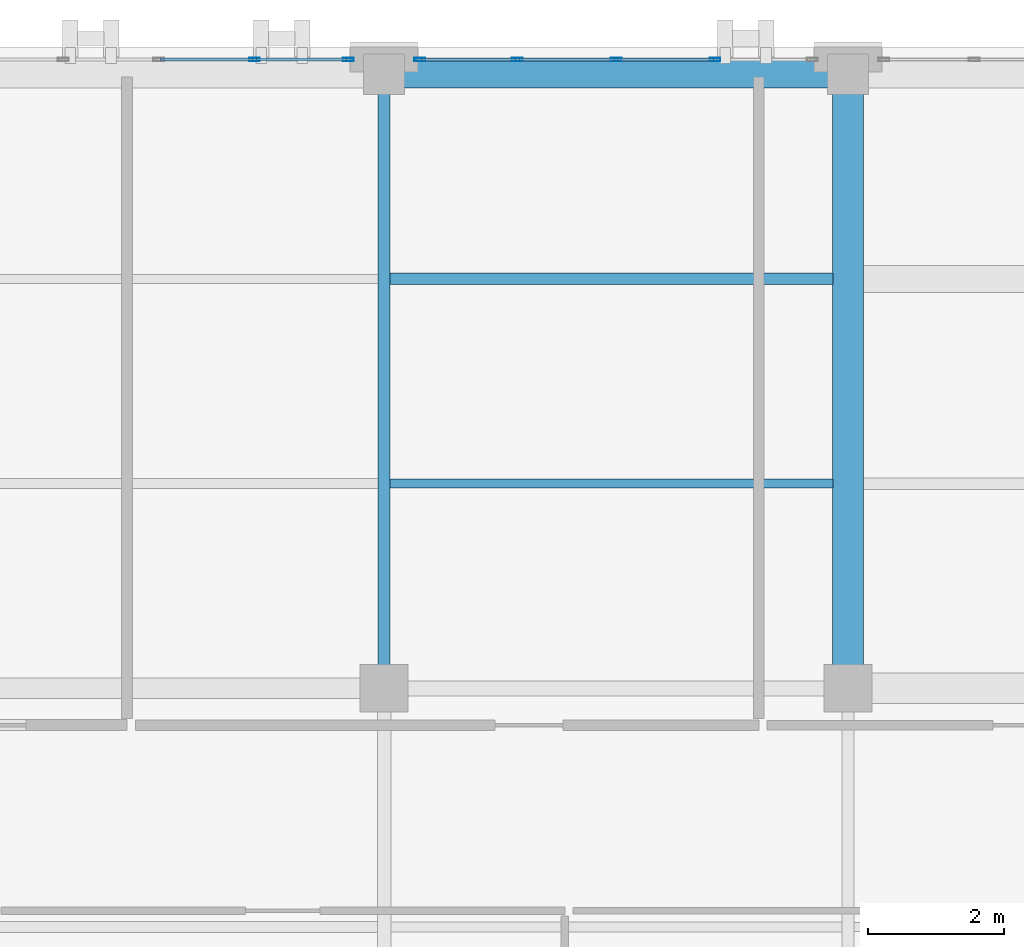
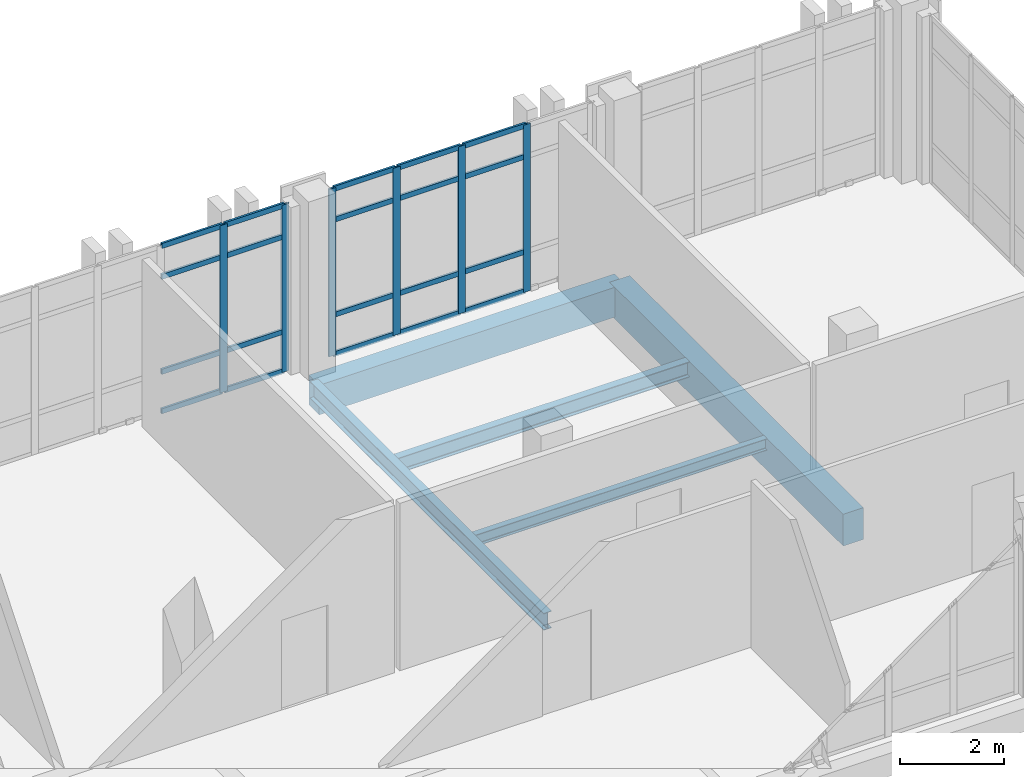
# One storey, part 49 of 77: 26 members, 5 beams, 2 elements without a shape of their own.
"""IFC4 building model written with IfcOpenShell, lengths in metres."""

from ifc_helpers import new_model, si_unit, direction, frame, origin, origin_2d, place, context, subcontext, project, spatial, rectangle, hollow_rectangle, i_section, extrude, material, layer, layer_set, material_profile, profile_set, type_object, element, aggregate, save


model = new_model("IFC4")

# Units and contexts
model_context = context("Model", 3, precision=1e-05, world=origin(), true_north=direction((0.0, 1.0)))
body_context = subcontext(model_context, "Body", "Model", "MODEL_VIEW")
ifc_project = project(units=[si_unit("LENGTHUNIT", "METRE"), si_unit("AREAUNIT", "SQUARE_METRE"), si_unit("VOLUMEUNIT", "CUBIC_METRE"), si_unit("PLANEANGLEUNIT", "RADIAN"), si_unit("MASSUNIT", "GRAM", prefix="KILO")], contexts=[model_context])

# Site, building, storey
site_placement = place(None, origin())
site = spatial("IfcSite", under=ifc_project, at=site_placement, CompositionType="ELEMENT")
building_placement = place(site_placement, origin())
building = spatial("IfcBuilding", under=site, at=building_placement, Name="Qalavern Law Courts", CompositionType="ELEMENT")
storey_placement = place(building_placement, frame((0.0, 0.0, 27.0)))
storey = spatial("IfcBuildingStorey", under=building, at=storey_placement, Name="L06", CompositionType="ELEMENT", Elevation=27.0)

# Curtain wall, members
ifc_material_1 = material(Name="Anodised aluminium and insulated glazing", Category="aluminium")
ifc_layer = layer(ifc_material_1, 0.166015625)
ifc_layer_set = layer_set([ifc_layer], Name="Anodised aluminium and insulated glazing")
curtain_wall_type = type_object("IfcCurtainWallType", Name="ENV-CW-LIB", PredefinedType="USERDEFINED", material=ifc_layer_set)
curtain_wall_1_placement = place(storey_placement, origin())
curtain_wall_1 = element("IfcCurtainWall", 1, at=curtain_wall_1_placement, inside=storey, type_object=curtain_wall_type, Name="V5 unitised curtain wall L06 north 2", ObjectType="UNITISED CURTAIN WALL", PredefinedType="USERDEFINED")
ifc_material_2 = material(Name="Anodised aluminium", Category="aluminium")
ifc_material_profile_1 = material_profile(ifc_material_2, hollow_rectangle(XDim=0.048095703125, YDim=0.159912109375, WallThickness=0.00390625, at=origin_2d()), Name="ALU MULLION 48x160")
ifc_profile_set_1 = profile_set([ifc_material_profile_1], Name="Anodised aluminium")
member_type_1 = type_object("IfcMemberType", Name="ENV-CWM-48x160", PredefinedType="MULLION", material=ifc_profile_set_1)
member_1_placement = place(storey_placement, frame((49.64990234375, 112.81494140625, 0.0), z_axis=(0.0, 0.0, 1.0), x_axis=(0.0, -1.0, 0.0)))
member_1 = element("IfcMember", 2, at=member_1_placement, type_object=member_type_1, Name="CW-05 mullion 2", PredefinedType="MULLION", context=body_context, shape_type="SweptSolid", body=[
    extrude(hollow_rectangle(XDim=0.048095703125, YDim=0.159912109375, WallThickness=0.00390625, at=origin_2d()), origin(), (0.0, 0.0, 1.0), 3.93505859375),
])
member_2_placement = place(storey_placement, frame((48.199951171875, 112.81494140625, 0.0), z_axis=(0.0, 0.0, 1.0), x_axis=(0.0, -1.0, 0.0)))
member_2 = element("IfcMember", 3, at=member_2_placement, type_object=member_type_1, Name="CW-05 mullion 3", PredefinedType="MULLION", context=body_context, shape_type="SweptSolid", body=[
    extrude(hollow_rectangle(XDim=0.048095703125, YDim=0.159912109375, WallThickness=0.00390625, at=origin_2d()), origin(), (0.0, 0.0, 1.0), 3.93505859375),
])
member_3_placement = place(storey_placement, frame((46.75, 112.81494140625, 0.0), z_axis=(0.0, 0.0, 1.0), x_axis=(0.0, -1.0, 0.0)))
member_3 = element("IfcMember", 4, at=member_3_placement, type_object=member_type_1, Name="CW-05 mullion 4", PredefinedType="MULLION", context=body_context, shape_type="SweptSolid", body=[
    extrude(hollow_rectangle(XDim=0.048095703125, YDim=0.159912109375, WallThickness=0.00390625, at=origin_2d()), origin(), (0.0, 0.0, 1.0), 3.93505859375),
])
member_4_placement = place(storey_placement, frame((45.323974609375, 112.81494140625, 0.0), z_axis=(0.0, 0.0, 1.0), x_axis=(0.0, -1.0, 0.0)))
member_4 = element("IfcMember", 5, at=member_4_placement, type_object=member_type_1, Name="CW-05 mullion 5", PredefinedType="MULLION", context=body_context, shape_type="SweptSolid", body=[
    extrude(hollow_rectangle(XDim=0.048095703125, YDim=0.159912109375, WallThickness=0.00390625, at=origin_2d()), origin(), (0.0, 0.0, 1.0), 3.93505859375),
])

curtain_wall_2_placement = place(storey_placement, origin())
curtain_wall_2 = element("IfcCurtainWall", 6, at=curtain_wall_2_placement, inside=storey, type_object=curtain_wall_type, Name="V5 unitised curtain wall L06 north 3", ObjectType="UNITISED CURTAIN WALL", PredefinedType="USERDEFINED")
member_5_placement = place(storey_placement, frame((44.27587890625, 112.81494140625, 0.0), z_axis=(0.0, 0.0, 1.0), x_axis=(0.0, -1.0, 0.0)))
member_5 = element("IfcMember", 7, at=member_5_placement, type_object=member_type_1, Name="CW-05 mullion 1", PredefinedType="MULLION", context=body_context, shape_type="SweptSolid", body=[
    extrude(hollow_rectangle(XDim=0.048095703125, YDim=0.159912109375, WallThickness=0.00390625, at=origin_2d()), origin(), (0.0, 0.0, 1.0), 3.93505859375),
])
member_6_placement = place(storey_placement, frame((42.89990234375, 112.81494140625, 0.0), z_axis=(0.0, 0.0, 1.0), x_axis=(0.0, -1.0, 0.0)))
member_6 = element("IfcMember", 8, at=member_6_placement, type_object=member_type_1, Name="CW-05 mullion 2", PredefinedType="MULLION", context=body_context, shape_type="SweptSolid", body=[
    extrude(hollow_rectangle(XDim=0.048095703125, YDim=0.159912109375, WallThickness=0.00390625, at=origin_2d()), origin(), (0.0, 0.0, 1.0), 3.93505859375),
])

# Member
ifc_material_profile_2 = material_profile(ifc_material_2, hollow_rectangle(XDim=0.048095703125, YDim=0.1201171875, WallThickness=0.00390625, at=origin_2d()), Name="ALU TRANSOM 48x120")
ifc_profile_set_2 = profile_set([ifc_material_profile_2], Name="Anodised aluminium")
member_type_2 = type_object("IfcMemberType", Name="ENV-CWT-48x120", PredefinedType="USERDEFINED", material=ifc_profile_set_2)
member_7_placement = place(storey_placement, frame((49.6259765625, 112.81494140625, 0.02392578125), z_axis=(-1.0, 0.0, 0.0), x_axis=(0.0, -1.0, 0.0)))
member_7 = element("IfcMember", 9, at=member_7_placement, type_object=member_type_2, Name="CW-05 transom 2.1", ObjectType="TRANSOM", PredefinedType="USERDEFINED", context=body_context, shape_type="SweptSolid", body=[
    extrude(hollow_rectangle(XDim=0.048095703125, YDim=0.1201171875, WallThickness=0.00390625, at=origin_2d()), origin(), (0.0, 0.0, 1.0), 1.40185546875),
])

member_8_placement = place(storey_placement, frame((49.6259765625, 112.81494140625, 0.949951171875), z_axis=(-1.0, 0.0, 0.0), x_axis=(0.0, -1.0, 0.0)))
member_8 = element("IfcMember", 10, at=member_8_placement, type_object=member_type_2, Name="CW-05 transom 2.2", ObjectType="TRANSOM", PredefinedType="USERDEFINED", context=body_context, shape_type="SweptSolid", body=[
    extrude(hollow_rectangle(XDim=0.048095703125, YDim=0.1201171875, WallThickness=0.00390625, at=origin_2d()), origin(), (0.0, 0.0, 1.0), 1.40185546875),
])

member_9_placement = place(storey_placement, frame((49.6259765625, 112.81494140625, 3.18505859375), z_axis=(-1.0, 0.0, 0.0), x_axis=(0.0, -1.0, 0.0)))
member_9 = element("IfcMember", 11, at=member_9_placement, type_object=member_type_2, Name="CW-05 transom 2.3", ObjectType="TRANSOM", PredefinedType="USERDEFINED", context=body_context, shape_type="SweptSolid", body=[
    extrude(hollow_rectangle(XDim=0.048095703125, YDim=0.1201171875, WallThickness=0.00390625, at=origin_2d()), origin(), (0.0, 0.0, 1.0), 1.40185546875),
])

member_10_placement = place(storey_placement, frame((49.6259765625, 112.81494140625, 3.910888671875), z_axis=(-1.0, 0.0, 0.0), x_axis=(0.0, -1.0, 0.0)))
member_10 = element("IfcMember", 12, at=member_10_placement, type_object=member_type_2, Name="CW-05 transom 2.4", ObjectType="TRANSOM", PredefinedType="USERDEFINED", context=body_context, shape_type="SweptSolid", body=[
    extrude(hollow_rectangle(XDim=0.048095703125, YDim=0.1201171875, WallThickness=0.00390625, at=origin_2d()), origin(), (0.0, 0.0, 1.0), 1.40185546875),
])

member_11_placement = place(storey_placement, frame((48.176025390625, 112.81494140625, 0.02392578125), z_axis=(-1.0, 0.0, 0.0), x_axis=(0.0, -1.0, 0.0)))
member_11 = element("IfcMember", 13, at=member_11_placement, type_object=member_type_2, Name="CW-05 transom 3.1", ObjectType="TRANSOM", PredefinedType="USERDEFINED", context=body_context, shape_type="SweptSolid", body=[
    extrude(hollow_rectangle(XDim=0.048095703125, YDim=0.1201171875, WallThickness=0.00390625, at=origin_2d()), origin(), (0.0, 0.0, 1.0), 1.402099609375),
])

member_12_placement = place(storey_placement, frame((48.176025390625, 112.81494140625, 0.949951171875), z_axis=(-1.0, 0.0, 0.0), x_axis=(0.0, -1.0, 0.0)))
member_12 = element("IfcMember", 14, at=member_12_placement, type_object=member_type_2, Name="CW-05 transom 3.2", ObjectType="TRANSOM", PredefinedType="USERDEFINED", context=body_context, shape_type="SweptSolid", body=[
    extrude(hollow_rectangle(XDim=0.048095703125, YDim=0.1201171875, WallThickness=0.00390625, at=origin_2d()), origin(), (0.0, 0.0, 1.0), 1.402099609375),
])

member_13_placement = place(storey_placement, frame((48.176025390625, 112.81494140625, 3.18505859375), z_axis=(-1.0, 0.0, 0.0), x_axis=(0.0, -1.0, 0.0)))
member_13 = element("IfcMember", 15, at=member_13_placement, type_object=member_type_2, Name="CW-05 transom 3.3", ObjectType="TRANSOM", PredefinedType="USERDEFINED", context=body_context, shape_type="SweptSolid", body=[
    extrude(hollow_rectangle(XDim=0.048095703125, YDim=0.1201171875, WallThickness=0.00390625, at=origin_2d()), origin(), (0.0, 0.0, 1.0), 1.402099609375),
])

member_14_placement = place(storey_placement, frame((48.176025390625, 112.81494140625, 3.910888671875), z_axis=(-1.0, 0.0, 0.0), x_axis=(0.0, -1.0, 0.0)))
member_14 = element("IfcMember", 16, at=member_14_placement, type_object=member_type_2, Name="CW-05 transom 3.4", ObjectType="TRANSOM", PredefinedType="USERDEFINED", context=body_context, shape_type="SweptSolid", body=[
    extrude(hollow_rectangle(XDim=0.048095703125, YDim=0.1201171875, WallThickness=0.00390625, at=origin_2d()), origin(), (0.0, 0.0, 1.0), 1.402099609375),
])

member_15_placement = place(storey_placement, frame((46.72607421875, 112.81494140625, 0.02392578125), z_axis=(-1.0, 0.0, 0.0), x_axis=(0.0, -1.0, 0.0)))
member_15 = element("IfcMember", 17, at=member_15_placement, type_object=member_type_2, Name="CW-05 transom 4.1", ObjectType="TRANSOM", PredefinedType="USERDEFINED", context=body_context, shape_type="SweptSolid", body=[
    extrude(hollow_rectangle(XDim=0.048095703125, YDim=0.1201171875, WallThickness=0.00390625, at=origin_2d()), origin(), (0.0, 0.0, 1.0), 1.378173828125),
])

member_16_placement = place(storey_placement, frame((46.72607421875, 112.81494140625, 0.949951171875), z_axis=(-1.0, 0.0, 0.0), x_axis=(0.0, -1.0, 0.0)))
member_16 = element("IfcMember", 18, at=member_16_placement, type_object=member_type_2, Name="CW-05 transom 4.2", ObjectType="TRANSOM", PredefinedType="USERDEFINED", context=body_context, shape_type="SweptSolid", body=[
    extrude(hollow_rectangle(XDim=0.048095703125, YDim=0.1201171875, WallThickness=0.00390625, at=origin_2d()), origin(), (0.0, 0.0, 1.0), 1.378173828125),
])

member_17_placement = place(storey_placement, frame((46.72607421875, 112.81494140625, 3.18505859375), z_axis=(-1.0, 0.0, 0.0), x_axis=(0.0, -1.0, 0.0)))
member_17 = element("IfcMember", 19, at=member_17_placement, type_object=member_type_2, Name="CW-05 transom 4.3", ObjectType="TRANSOM", PredefinedType="USERDEFINED", context=body_context, shape_type="SweptSolid", body=[
    extrude(hollow_rectangle(XDim=0.048095703125, YDim=0.1201171875, WallThickness=0.00390625, at=origin_2d()), origin(), (0.0, 0.0, 1.0), 1.378173828125),
])

member_18_placement = place(storey_placement, frame((46.72607421875, 112.81494140625, 3.910888671875), z_axis=(-1.0, 0.0, 0.0), x_axis=(0.0, -1.0, 0.0)))
member_18 = element("IfcMember", 20, at=member_18_placement, type_object=member_type_2, Name="CW-05 transom 4.4", ObjectType="TRANSOM", PredefinedType="USERDEFINED", context=body_context, shape_type="SweptSolid", body=[
    extrude(hollow_rectangle(XDim=0.048095703125, YDim=0.1201171875, WallThickness=0.00390625, at=origin_2d()), origin(), (0.0, 0.0, 1.0), 1.378173828125),
])

aggregate(curtain_wall_1, [member_1, member_2, member_3, member_4, member_7, member_8, member_9, member_10, member_11, member_12, member_13, member_14, member_15, member_16, member_17, member_18])

member_19_placement = place(storey_placement, frame((44.251953125, 112.81494140625, 0.02392578125), z_axis=(-1.0, 0.0, 0.0), x_axis=(0.0, -1.0, 0.0)))
member_19 = element("IfcMember", 21, at=member_19_placement, type_object=member_type_2, Name="CW-05 transom 1.1", ObjectType="TRANSOM", PredefinedType="USERDEFINED", context=body_context, shape_type="SweptSolid", body=[
    extrude(hollow_rectangle(XDim=0.048095703125, YDim=0.1201171875, WallThickness=0.00390625, at=origin_2d()), origin(), (0.0, 0.0, 1.0), 1.327880859375),
])

member_20_placement = place(storey_placement, frame((44.251953125, 112.81494140625, 0.949951171875), z_axis=(-1.0, 0.0, 0.0), x_axis=(0.0, -1.0, 0.0)))
member_20 = element("IfcMember", 22, at=member_20_placement, type_object=member_type_2, Name="CW-05 transom 1.2", ObjectType="TRANSOM", PredefinedType="USERDEFINED", context=body_context, shape_type="SweptSolid", body=[
    extrude(hollow_rectangle(XDim=0.048095703125, YDim=0.1201171875, WallThickness=0.00390625, at=origin_2d()), origin(), (0.0, 0.0, 1.0), 1.327880859375),
])

member_21_placement = place(storey_placement, frame((44.251953125, 112.81494140625, 3.18505859375), z_axis=(-1.0, 0.0, 0.0), x_axis=(0.0, -1.0, 0.0)))
member_21 = element("IfcMember", 23, at=member_21_placement, type_object=member_type_2, Name="CW-05 transom 1.3", ObjectType="TRANSOM", PredefinedType="USERDEFINED", context=body_context, shape_type="SweptSolid", body=[
    extrude(hollow_rectangle(XDim=0.048095703125, YDim=0.1201171875, WallThickness=0.00390625, at=origin_2d()), origin(), (0.0, 0.0, 1.0), 1.327880859375),
])

member_22_placement = place(storey_placement, frame((44.251953125, 112.81494140625, 3.910888671875), z_axis=(-1.0, 0.0, 0.0), x_axis=(0.0, -1.0, 0.0)))
member_22 = element("IfcMember", 24, at=member_22_placement, type_object=member_type_2, Name="CW-05 transom 1.4", ObjectType="TRANSOM", PredefinedType="USERDEFINED", context=body_context, shape_type="SweptSolid", body=[
    extrude(hollow_rectangle(XDim=0.048095703125, YDim=0.1201171875, WallThickness=0.00390625, at=origin_2d()), origin(), (0.0, 0.0, 1.0), 1.327880859375),
])

member_23_placement = place(storey_placement, frame((42.8759765625, 112.81494140625, 0.02392578125), z_axis=(-1.0, 0.0, 0.0), x_axis=(0.0, -1.0, 0.0)))
member_23 = element("IfcMember", 25, at=member_23_placement, type_object=member_type_2, Name="CW-05 transom 2.1", ObjectType="TRANSOM", PredefinedType="USERDEFINED", context=body_context, shape_type="SweptSolid", body=[
    extrude(hollow_rectangle(XDim=0.048095703125, YDim=0.1201171875, WallThickness=0.00390625, at=origin_2d()), origin(), (0.0, 0.0, 1.0), 1.35205078125),
])

member_24_placement = place(storey_placement, frame((42.8759765625, 112.81494140625, 0.949951171875), z_axis=(-1.0, 0.0, 0.0), x_axis=(0.0, -1.0, 0.0)))
member_24 = element("IfcMember", 26, at=member_24_placement, type_object=member_type_2, Name="CW-05 transom 2.2", ObjectType="TRANSOM", PredefinedType="USERDEFINED", context=body_context, shape_type="SweptSolid", body=[
    extrude(hollow_rectangle(XDim=0.048095703125, YDim=0.1201171875, WallThickness=0.00390625, at=origin_2d()), origin(), (0.0, 0.0, 1.0), 1.35205078125),
])

member_25_placement = place(storey_placement, frame((42.8759765625, 112.81494140625, 3.18505859375), z_axis=(-1.0, 0.0, 0.0), x_axis=(0.0, -1.0, 0.0)))
member_25 = element("IfcMember", 27, at=member_25_placement, type_object=member_type_2, Name="CW-05 transom 2.3", ObjectType="TRANSOM", PredefinedType="USERDEFINED", context=body_context, shape_type="SweptSolid", body=[
    extrude(hollow_rectangle(XDim=0.048095703125, YDim=0.1201171875, WallThickness=0.00390625, at=origin_2d()), origin(), (0.0, 0.0, 1.0), 1.35205078125),
])

member_26_placement = place(storey_placement, frame((42.8759765625, 112.81494140625, 3.910888671875), z_axis=(-1.0, 0.0, 0.0), x_axis=(0.0, -1.0, 0.0)))
member_26 = element("IfcMember", 28, at=member_26_placement, type_object=member_type_2, Name="CW-05 transom 2.4", ObjectType="TRANSOM", PredefinedType="USERDEFINED", context=body_context, shape_type="SweptSolid", body=[
    extrude(hollow_rectangle(XDim=0.048095703125, YDim=0.1201171875, WallThickness=0.00390625, at=origin_2d()), origin(), (0.0, 0.0, 1.0), 1.35205078125),
])

aggregate(curtain_wall_2, [member_5, member_6, member_19, member_20, member_21, member_22, member_23, member_24, member_25, member_26])

# Beams
ifc_material_3 = material(Name="Steel S355", Category="steel")
ifc_material_profile_3 = material_profile(ifc_material_3, i_section(OverallWidth=0.179931640625, OverallDepth=0.39990234375, WebThickness=0.008544921875, FlangeThickness=0.013427734375, FilletRadius=0.02099609375, at=origin_2d()), Name="IPE 400")
ifc_profile_set_3 = profile_set([ifc_material_profile_3], Name="Steel S355")
beam_type_1 = type_object("IfcBeamType", Name="STR-BM-IPE400", PredefinedType="BEAM", material=ifc_profile_set_3)
beam_1_placement = place(storey_placement, frame((44.800048828125, 103.60009765625, -0.469970703125), z_axis=(0.0, 1.0, 0.0), x_axis=(-1.0, 0.0, 0.0)))
element("IfcBeam", 29, at=beam_1_placement, inside=storey, type_object=beam_type_1, Name="V5 Y-beam 3-2 L06", PredefinedType="BEAM", context=body_context, shape_type="SweptSolid", body=[
    extrude(i_section(OverallWidth=0.179931640625, OverallDepth=0.39990234375, WebThickness=0.008544921875, FlangeThickness=0.013427734375, FilletRadius=0.02099609375, at=origin_2d()), origin(), (0.0, 0.0, 1.0), 9.0),
])
ifc_material_4 = material(Name="Concrete C40/50", Category="concrete")
ifc_material_profile_4 = material_profile(ifc_material_4, rectangle(XDim=0.449951171875, YDim=0.75, at=origin_2d()), Name="RC 450x750")
ifc_profile_set_4 = profile_set([ifc_material_profile_4], Name="Concrete C40/50")
beam_type_2 = type_object("IfcBeamType", Name="STR-BM-RC450x750", PredefinedType="BEAM", material=ifc_profile_set_4)
beam_2_placement = place(storey_placement, frame((51.60009765625, 103.60009765625, -0.64501953125), z_axis=(0.0, 1.0, 0.0), x_axis=(-1.0, 0.0, 0.0)))
element("IfcBeam", 30, at=beam_2_placement, inside=storey, type_object=beam_type_2, Name="V5 Y-beam 4-2 L06", PredefinedType="BEAM", context=body_context, shape_type="SweptSolid", body=[
    extrude(rectangle(XDim=0.449951171875, YDim=0.75, at=origin_2d()), origin(), (0.0, 0.0, 1.0), 9.0),
])
ifc_material_profile_5 = material_profile(ifc_material_3, i_section(OverallWidth=0.135009765625, OverallDepth=0.27001953125, WebThickness=0.006591796875, FlangeThickness=0.01025390625, FilletRadius=0.014892578125, at=origin_2d()), Name="IPE 270")
ifc_profile_set_5 = profile_set([ifc_material_profile_5], Name="Steel S355")
beam_type_3 = type_object("IfcBeamType", Name="STR-JST-IPE270", PredefinedType="JOIST", material=ifc_profile_set_5)
beam_3_placement = place(storey_placement, frame((44.887939453125, 106.60009765625, -0.405029296875), z_axis=(1.0, 0.0, 0.0), x_axis=(0.0, 1.0, 0.0)))
element("IfcBeam", 31, at=beam_3_placement, inside=storey, type_object=beam_type_3, Name="V5 secondary joist 3.2.1 L06", PredefinedType="JOIST", context=body_context, shape_type="SweptSolid", body=[
    extrude(i_section(OverallWidth=0.135009765625, OverallDepth=0.27001953125, WebThickness=0.006591796875, FlangeThickness=0.01025390625, FilletRadius=0.014892578125, at=origin_2d()), origin(), (0.0, 0.0, 1.0), 6.489013671875),
])
ifc_material_profile_6 = material_profile(ifc_material_3, i_section(OverallWidth=0.169921875, OverallDepth=0.360107421875, WebThickness=0.008056640625, FlangeThickness=0.0126953125, FilletRadius=0.01806640625, at=origin_2d()), Name="IPE 360")
ifc_profile_set_6 = profile_set([ifc_material_profile_6], Name="Steel S355")
beam_type_4 = type_object("IfcBeamType", Name="STR-JST-IPE360", PredefinedType="JOIST", material=ifc_profile_set_6)
beam_4_placement = place(storey_placement, frame((44.887939453125, 109.60009765625, -0.449951171875), z_axis=(1.0, 0.0, 0.0), x_axis=(0.0, 1.0, 0.0)))
element("IfcBeam", 32, at=beam_4_placement, inside=storey, type_object=beam_type_4, Name="V5 secondary joist 3.2.2 L06", PredefinedType="JOIST", context=body_context, shape_type="SweptSolid", body=[
    extrude(i_section(OverallWidth=0.169921875, OverallDepth=0.360107421875, WebThickness=0.008056640625, FlangeThickness=0.0126953125, FilletRadius=0.01806640625, at=origin_2d()), origin(), (0.0, 0.0, 1.0), 6.489013671875),
])
ifc_material_profile_7 = material_profile(ifc_material_4, rectangle(XDim=0.39990234375, YDim=0.699951171875, at=origin_2d()), Name="RC 400x700")
ifc_profile_set_7 = profile_set([ifc_material_profile_7], Name="Concrete C40/50")
beam_type_5 = type_object("IfcBeamType", Name="STR-SP-RC400x700", PredefinedType="SPANDREL", material=ifc_profile_set_7)
beam_5_placement = place(storey_placement, frame((44.800048828125, 112.60009765625, -0.6201171875), z_axis=(1.0, 0.0, 0.0), x_axis=(0.0, 1.0, 0.0)))
element("IfcBeam", 33, at=beam_5_placement, inside=storey, type_object=beam_type_5, Name="V5 X-beam 3-3 L06", PredefinedType="SPANDREL", context=body_context, shape_type="SweptSolid", body=[
    extrude(rectangle(XDim=0.39990234375, YDim=0.699951171875, at=origin_2d()), origin(), (0.0, 0.0, 1.0), 6.800048828125),
])

save(model, "model.ifc")
